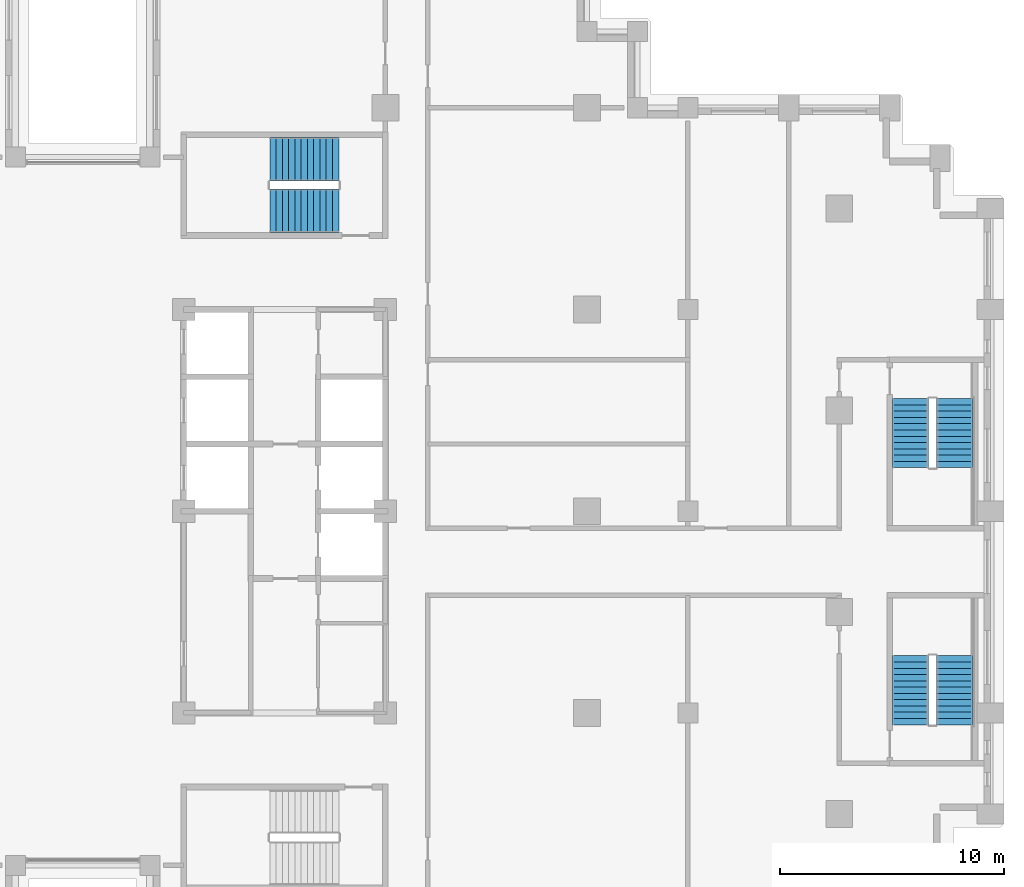
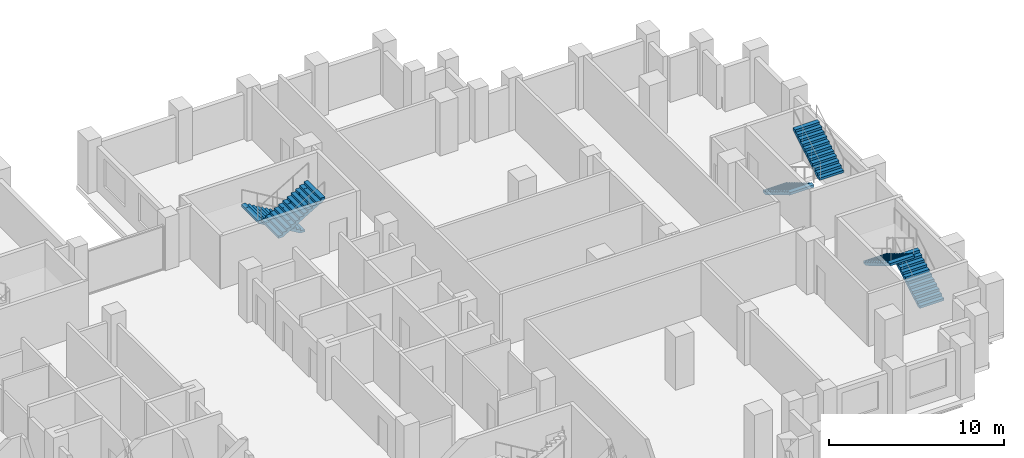
# One storey, part 13 of 15: 6 stair flights, 3 elements without a shape of their own.
"""IFC4 building model written with IfcOpenShell, lengths in metres."""

import ifcopenshell
import ifcopenshell.guid

model = None  # the IFC model being written
_history = None  # IfcOwnerHistory: only IFC2X3 demands one
_inside = {}  # id of a spatial element -> (the spatial element, [elements in it])
_under = {}  # id of a project, library or spatial element -> (it, [spatial elements below it])
_declared = {}  # id of a project -> (the project, [libraries it declares])
_typed = {}  # id of a type object -> (the type object, [elements of that type])
_made_of = {}  # id of a material, layer set ... -> (it, [elements and type objects made of it])


def new_model(schema):
    """Start an empty IFC model of exactly this schema.

    Asked for "IFC4X3", IfcOpenShell would pick the latest addendum, in which some entities
    have other attributes; the version numbers below select the first issue.
    IFC2X3 requires an IfcOwnerHistory on every rooted entity: one is made here for all.
    """
    global model, _history
    if schema == "IFC4X3":
        model = ifcopenshell.file(schema_version=(4, 3, 0, 0))
    else:
        model = ifcopenshell.file(schema=schema)
    _inside.clear()
    _under.clear()
    _declared.clear()
    _typed.clear()
    _made_of.clear()
    _history = None
    if model.schema == "IFC2X3":
        org = make("IfcOrganization", Name="unknown")
        user = make(
            "IfcPersonAndOrganization",
            ThePerson=make("IfcPerson", FamilyName="unknown"),
            TheOrganization=org,
        )
        app = make(
            "IfcApplication",
            ApplicationDeveloper=org,
            Version="unknown",
            ApplicationFullName="unknown",
            ApplicationIdentifier="unknown",
        )
        _history = make(
            "IfcOwnerHistory",
            OwningUser=user,
            OwningApplication=app,
            ChangeAction="ADDED",
            CreationDate=0,
        )
    return model


def make(cls, **values):
    """One entity of the class cls with the attributes given. An attribute that is None is left unset."""
    return model.create_entity(
        cls, **{name: value for name, value in values.items() if value is not None}
    )


def rooted(cls, **values):
    """An entity with a GlobalId (a new one), such as an element, a storey or a relation."""
    return make(cls, GlobalId=ifcopenshell.guid.new(), OwnerHistory=_history, **values)


def si_unit(unit_type, name, prefix=None):
    """IfcSIUnit, for example si_unit("LENGTHUNIT", "METRE", prefix="MILLI")."""
    return make("IfcSIUnit", UnitType=unit_type, Prefix=prefix, Name=name)


def assignment(units):
    """IfcUnitAssignment: the units of a project."""
    return None if units is None else make("IfcUnitAssignment", Units=units)


def point(xyz):
    """IfcCartesianPoint."""
    return None if xyz is None else make("IfcCartesianPoint", Coordinates=xyz)


def direction(xyz):
    """IfcDirection."""
    return None if xyz is None else make("IfcDirection", DirectionRatios=xyz)


def frame(location, z_axis=None, x_axis=None):
    """IfcAxis2Placement3D, a coordinate frame: its origin and axes. An axis left out is left unset."""
    return make(
        "IfcAxis2Placement3D",
        Location=point(location),
        Axis=direction(z_axis),
        RefDirection=direction(x_axis),
    )


def origin():
    """The frame at (0, 0, 0) with its axes left unset."""
    return frame((0.0, 0.0, 0.0))


def place(relative_to, where):
    """IfcLocalPlacement: puts the frame where relative to a parent placement (None: the world)."""
    return make(
        "IfcLocalPlacement", PlacementRelTo=relative_to, RelativePlacement=where
    )


def context(
    kind, dimensions, precision=None, world=None, true_north=None, identifier=None
):
    """IfcGeometricRepresentationContext, for example the 3D "Model" context."""
    return make(
        "IfcGeometricRepresentationContext",
        ContextIdentifier=identifier,
        ContextType=kind,
        CoordinateSpaceDimension=dimensions,
        Precision=precision,
        WorldCoordinateSystem=world,
        TrueNorth=true_north,
    )


def subcontext(parent, identifier, kind, view, scale=None):
    """IfcGeometricRepresentationSubContext, for example "Body" below "Model"."""
    return make(
        "IfcGeometricRepresentationSubContext",
        ContextIdentifier=identifier,
        ContextType=kind,
        ParentContext=parent,
        TargetScale=scale,
        TargetView=view,
    )


def project(units=None, contexts=None):
    """IfcProject with its units and contexts."""
    return rooted(
        "IfcProject",
        Name="project",
        RepresentationContexts=contexts,
        UnitsInContext=assignment(units),
    )


def spatial(cls, under=None, at=None, **own):
    """A site, building, storey or space (cls), placed at a placement, below another one or the project."""
    s = rooted(cls, ObjectPlacement=at, **own)
    if under is not None:
        _under.setdefault(under.id(), (under, []))[1].append(s)
    return s


def polyline(points):
    """IfcPolyline through the points."""
    return make("IfcPolyline", Points=[point(p) for p in points])


def outline(outer, holes=None, kind="AREA"):
    """IfcArbitraryClosedProfileDef: a profile drawn as a closed curve; with holes, ...WithVoids."""
    if holes is None:
        return make("IfcArbitraryClosedProfileDef", ProfileType=kind, OuterCurve=outer)
    return make(
        "IfcArbitraryProfileDefWithVoids",
        ProfileType=kind,
        OuterCurve=outer,
        InnerCurves=holes,
    )


def extrude(swept, where, along, depth):
    """IfcExtrudedAreaSolid: the profile swept, set in the frame where, extruded along a direction by depth."""
    return make(
        "IfcExtrudedAreaSolid",
        SweptArea=swept,
        Position=where,
        ExtrudedDirection=direction(along),
        Depth=depth,
    )


def shape(context_of_items, identifier, shape_type, items):
    """IfcShapeRepresentation: the items that make up one representation, for example the "Body"."""
    return make(
        "IfcShapeRepresentation",
        ContextOfItems=context_of_items,
        RepresentationIdentifier=identifier,
        RepresentationType=shape_type,
        Items=items,
    )


def material(Name=None, Category=None):
    """IfcMaterial."""
    return make("IfcMaterial", Name=Name, Category=Category)


def made_of(thing, what):
    """Note that an element or type object is made of a material, layer set ...; save() writes the relation."""
    if what is not None:
        _made_of.setdefault(what.id(), (what, []))[1].append(thing)
    return thing


def type_object(cls, material=None, **own):
    """A type object (cls), such as IfcWallType, which elements share."""
    return made_of(rooted(cls, **own), material)


def element(
    cls,
    number,
    at=None,
    inside=None,
    cuts=None,
    type_object=None,
    material=None,
    context=None,
    identifier="Body",
    shape_type=None,
    held_by="IfcProductDefinitionShape",
    body=None,
    shapes=None,
    **own,
):
    """One element of the class cls, such as IfcWall. Its Tag is "e" and its number.

    at: its placement. inside: the storey or other place that contains it. cuts: it is an
    opening in that element (IfcRelVoidsElement). A single representation is given by context,
    identifier, shape_type and body (its items); several are given by shapes. held_by: the class
    of the entity that holds the representations. save() writes the other relations.
    """
    e = rooted(cls, Tag="e%d" % number, ObjectPlacement=at, **own)
    if body is not None:
        shapes = [shape(context, identifier, shape_type, body)]
    if shapes is not None:
        e.Representation = make(held_by, Representations=shapes)
    if inside is not None:
        _inside.setdefault(inside.id(), (inside, []))[1].append(e)
    if cuts is not None:
        rooted(
            "IfcRelVoidsElement", RelatingBuildingElement=cuts, RelatedOpeningElement=e
        )
    if type_object is not None:
        _typed.setdefault(type_object.id(), (type_object, []))[1].append(e)
    return made_of(e, material)


def aggregate(whole, parts):
    """IfcRelAggregates: a whole, such as a stair, and the parts it consists of."""
    return rooted("IfcRelAggregates", RelatingObject=whole, RelatedObjects=parts)


def save(model, path):
    """Write the relations noted so far, then the file.

    IfcRelAggregates (storeys below a building ...), IfcRelContainedInSpatialStructure (elements
    in a storey), IfcRelDefinesByType, IfcRelAssociatesMaterial and IfcRelDeclares: one each for
    every whole, place, type object, material and project.
    """
    for whole, parts in _under.values():
        aggregate(whole, parts)
    for where, things in _inside.values():
        rooted(
            "IfcRelContainedInSpatialStructure",
            RelatedElements=things,
            RelatingStructure=where,
        )
    for kind, things in _typed.values():
        rooted("IfcRelDefinesByType", RelatedObjects=things, RelatingType=kind)
    for what, things in _made_of.values():
        rooted("IfcRelAssociatesMaterial", RelatedObjects=things, RelatingMaterial=what)
    for by, libraries in _declared.values():
        rooted("IfcRelDeclares", RelatingContext=by, RelatedDefinitions=libraries)
    model.write(path)


model = new_model("IFC4")

# Units and contexts
model_context = context("Model", 3, precision=1e-05, world=origin(), true_north=direction((0.0, 1.0)))
body_context = subcontext(model_context, "Body", "Model", "MODEL_VIEW")
ifc_project = project(units=[si_unit("LENGTHUNIT", "METRE"), si_unit("AREAUNIT", "SQUARE_METRE"), si_unit("VOLUMEUNIT", "CUBIC_METRE"), si_unit("PLANEANGLEUNIT", "RADIAN"), si_unit("MASSUNIT", "GRAM", prefix="KILO")], contexts=[model_context])

# Site, building, storey
site_placement = place(None, origin())
site = spatial("IfcSite", under=ifc_project, at=site_placement, CompositionType="ELEMENT")
building_placement = place(site_placement, origin())
building = spatial("IfcBuilding", under=site, at=building_placement, Name="Corbelhall Arena Tower", CompositionType="ELEMENT")
storey_placement = place(building_placement, frame((0.0, 0.0, 88.0)))
storey = spatial("IfcBuildingStorey", under=building, at=storey_placement, Name="L14", CompositionType="ELEMENT", Elevation=88.0)

# Stair, stair flights
ifc_material = material(Name="Concrete C40/50", Category="concrete")
stair_type = type_object("IfcStairType", Name="IN-ST-TOWER", PredefinedType="HALF_TURN_STAIR", material=ifc_material)
stair_1_placement = place(storey_placement, origin())
stair_1 = element("IfcStair", 1, at=stair_1_placement, inside=storey, type_object=stair_type, Name="L14 Exit stair ST3", PredefinedType="HALF_TURN_STAIR")
stair_flight_type = type_object("IfcStairFlightType", Name="IN-SFL-RC", PredefinedType="STRAIGHT", material=ifc_material)
stair_flight_1_placement = place(storey_placement, frame((11.425048828125, 15.699951171875, 0.0), z_axis=(0.0, 0.0, 1.0), x_axis=(-1.0, 0.0, 0.0)))
stair_flight_1 = element("IfcStairFlight", 2, at=stair_flight_1_placement, type_object=stair_flight_type, Name="ST3 flight 1", NumberOfRisers=12, NumberOfTreads=11, PredefinedType="STRAIGHT", RiserHeight=0.166666667, TreadLength=0.28, context=body_context, shape_type="SweptSolid", body=[
    extrude(outline(polyline([(0.0, 0.0), (0.0, 0.166748046875), (0.280029296875, 0.166748046875), (0.280029296875, 0.333251953125), (0.56005859375, 0.333251953125), (0.56005859375, 0.5), (0.840087890625, 0.5), (0.840087890625, 0.666748046875), (1.1201171875, 0.666748046875), (1.1201171875, 0.833251953125), (1.39990234375, 0.833251953125), (1.39990234375, 1.0), (1.679931640625, 1.0), (1.679931640625, 1.166748046875), (1.9599609375, 1.166748046875), (1.9599609375, 1.333251953125), (2.239990234375, 1.333251953125), (2.239990234375, 1.5), (2.52001953125, 1.5), (2.52001953125, 1.666748046875), (2.800048828125, 1.666748046875), (2.800048828125, 1.833251953125), (3.080078125, 1.833251953125), (3.080078125, 2.0), (3.080078125, 1.658935546875), (0.29296875, 0.0), (0.0, 0.0)])), frame((0.0, 0.97509765625, 0.0), z_axis=(0.0, -1.0, 0.0), x_axis=(1.0, 0.0, 0.0)), (0.0, 0.0, 1.0), 0.449951171875),
    extrude(outline(polyline([(0.0, 0.0), (0.0, 0.166748046875), (0.280029296875, 0.166748046875), (0.280029296875, 0.333251953125), (0.56005859375, 0.333251953125), (0.56005859375, 0.5), (0.840087890625, 0.5), (0.840087890625, 0.666748046875), (1.1201171875, 0.666748046875), (1.1201171875, 0.833251953125), (1.39990234375, 0.833251953125), (1.39990234375, 1.0), (1.679931640625, 1.0), (1.679931640625, 1.166748046875), (1.9599609375, 1.166748046875), (1.9599609375, 1.333251953125), (2.239990234375, 1.333251953125), (2.239990234375, 1.5), (2.52001953125, 1.5), (2.52001953125, 1.666748046875), (2.800048828125, 1.666748046875), (2.800048828125, 1.833251953125), (3.080078125, 1.833251953125), (3.080078125, 2.0), (3.080078125, 1.658935546875), (0.29296875, 0.0), (0.0, 0.0)])), frame((0.0, 0.52099609375, 0.0), z_axis=(0.0, -1.0, 0.0), x_axis=(1.0, 0.0, 0.0)), (0.0, 0.0, 1.0), 1.0419921875),
    extrude(outline(polyline([(0.0, 0.0), (0.0, 0.166748046875), (0.280029296875, 0.166748046875), (0.280029296875, 0.333251953125), (0.56005859375, 0.333251953125), (0.56005859375, 0.5), (0.840087890625, 0.5), (0.840087890625, 0.666748046875), (1.1201171875, 0.666748046875), (1.1201171875, 0.833251953125), (1.39990234375, 0.833251953125), (1.39990234375, 1.0), (1.679931640625, 1.0), (1.679931640625, 1.166748046875), (1.9599609375, 1.166748046875), (1.9599609375, 1.333251953125), (2.239990234375, 1.333251953125), (2.239990234375, 1.5), (2.52001953125, 1.5), (2.52001953125, 1.666748046875), (2.800048828125, 1.666748046875), (2.800048828125, 1.833251953125), (3.080078125, 1.833251953125), (3.080078125, 2.0), (3.080078125, 1.658935546875), (0.29296875, 0.0), (0.0, 0.0)])), frame((0.0, -0.52490234375, 0.0), z_axis=(0.0, -1.0, 0.0), x_axis=(1.0, 0.0, 0.0)), (0.0, 0.0, 1.0), 0.449951171875),
])
stair_flight_2_placement = place(storey_placement, frame((8.344970703125, 13.39990234375, 2.0), z_axis=(0.0, 0.0, 1.0), x_axis=(1.0, 0.0, 0.0)))
stair_flight_2 = element("IfcStairFlight", 3, at=stair_flight_2_placement, type_object=stair_flight_type, Name="ST3 flight 2", NumberOfRisers=12, NumberOfTreads=11, PredefinedType="STRAIGHT", RiserHeight=0.166666667, TreadLength=0.28, context=body_context, shape_type="SweptSolid", body=[
    extrude(outline(polyline([(0.0, 0.0), (0.0, 0.166748046875), (0.280029296875, 0.166748046875), (0.280029296875, 0.333251953125), (0.56005859375, 0.333251953125), (0.56005859375, 0.5), (0.840087890625, 0.5), (0.840087890625, 0.666748046875), (1.1201171875, 0.666748046875), (1.1201171875, 0.833251953125), (1.39990234375, 0.833251953125), (1.39990234375, 1.0), (1.679931640625, 1.0), (1.679931640625, 1.166748046875), (1.9599609375, 1.166748046875), (1.9599609375, 1.333251953125), (2.239990234375, 1.333251953125), (2.239990234375, 1.5), (2.52001953125, 1.5), (2.52001953125, 1.666748046875), (2.800048828125, 1.666748046875), (2.800048828125, 1.833251953125), (3.080078125, 1.833251953125), (3.080078125, 2.0), (3.080078125, 1.658935546875), (0.29296875, 0.0), (0.0, 0.0)])), frame((0.0, 0.97509765625, 0.0), z_axis=(0.0, -1.0, 0.0), x_axis=(1.0, 0.0, 0.0)), (0.0, 0.0, 1.0), 0.449951171875),
    extrude(outline(polyline([(0.0, 0.0), (0.0, 0.166748046875), (0.280029296875, 0.166748046875), (0.280029296875, 0.333251953125), (0.56005859375, 0.333251953125), (0.56005859375, 0.5), (0.840087890625, 0.5), (0.840087890625, 0.666748046875), (1.1201171875, 0.666748046875), (1.1201171875, 0.833251953125), (1.39990234375, 0.833251953125), (1.39990234375, 1.0), (1.679931640625, 1.0), (1.679931640625, 1.166748046875), (1.9599609375, 1.166748046875), (1.9599609375, 1.333251953125), (2.239990234375, 1.333251953125), (2.239990234375, 1.5), (2.52001953125, 1.5), (2.52001953125, 1.666748046875), (2.800048828125, 1.666748046875), (2.800048828125, 1.833251953125), (3.080078125, 1.833251953125), (3.080078125, 2.0), (3.080078125, 1.658935546875), (0.29296875, 0.0), (0.0, 0.0)])), frame((0.0, 0.52099609375, 0.0), z_axis=(0.0, -1.0, 0.0), x_axis=(1.0, 0.0, 0.0)), (0.0, 0.0, 1.0), 1.0419921875),
    extrude(outline(polyline([(0.0, 0.0), (0.0, 0.166748046875), (0.280029296875, 0.166748046875), (0.280029296875, 0.333251953125), (0.56005859375, 0.333251953125), (0.56005859375, 0.5), (0.840087890625, 0.5), (0.840087890625, 0.666748046875), (1.1201171875, 0.666748046875), (1.1201171875, 0.833251953125), (1.39990234375, 0.833251953125), (1.39990234375, 1.0), (1.679931640625, 1.0), (1.679931640625, 1.166748046875), (1.9599609375, 1.166748046875), (1.9599609375, 1.333251953125), (2.239990234375, 1.333251953125), (2.239990234375, 1.5), (2.52001953125, 1.5), (2.52001953125, 1.666748046875), (2.800048828125, 1.666748046875), (2.800048828125, 1.833251953125), (3.080078125, 1.833251953125), (3.080078125, 2.0), (3.080078125, 1.658935546875), (0.29296875, 0.0), (0.0, 0.0)])), frame((0.0, -0.52490234375, 0.0), z_axis=(0.0, -1.0, 0.0), x_axis=(1.0, 0.0, 0.0)), (0.0, 0.0, 1.0), 0.449951171875),
])
aggregate(stair_1, [stair_flight_1, stair_flight_2])

stair_2_placement = place(storey_placement, origin())
stair_2 = element("IfcStair", 4, at=stair_2_placement, inside=storey, type_object=stair_type, Name="L14 Exit stair SD1", PredefinedType="HALF_TURN_STAIR")
stair_flight_3_placement = place(storey_placement, frame((38.89990234375, -9.52490234375, 0.0), z_axis=(0.0, 0.0, 1.0), x_axis=(0.0, 1.0, 0.0)))
stair_flight_3 = element("IfcStairFlight", 5, at=stair_flight_3_placement, type_object=stair_flight_type, Name="SD1 flight 1", NumberOfRisers=12, NumberOfTreads=11, PredefinedType="STRAIGHT", RiserHeight=0.166666667, TreadLength=0.28, context=body_context, shape_type="SweptSolid", body=[
    extrude(outline(polyline([(0.0, 0.0), (0.0, 0.166748046875), (0.280029296875, 0.166748046875), (0.280029296875, 0.333251953125), (0.56005859375, 0.333251953125), (0.56005859375, 0.5), (0.840087890625, 0.5), (0.840087890625, 0.666748046875), (1.1201171875, 0.666748046875), (1.1201171875, 0.833251953125), (1.39990234375, 0.833251953125), (1.39990234375, 1.0), (1.679931640625, 1.0), (1.679931640625, 1.166748046875), (1.9599609375, 1.166748046875), (1.9599609375, 1.333251953125), (2.239990234375, 1.333251953125), (2.239990234375, 1.5), (2.52001953125, 1.5), (2.52001953125, 1.666748046875), (2.800048828125, 1.666748046875), (2.800048828125, 1.833251953125), (3.080078125, 1.833251953125), (3.080078125, 2.0), (3.080078125, 1.658935546875), (0.29296875, 0.0), (0.0, 0.0)])), frame((0.0, 0.800048828125, 0.0), z_axis=(0.0, -1.0, 0.0), x_axis=(1.0, 0.0, 0.0)), (0.0, 0.0, 1.0), 1.60009765625),
])
stair_flight_4_placement = place(storey_placement, frame((36.925048828125, -6.445068359375, 2.0), z_axis=(0.0, 0.0, 1.0), x_axis=(0.0, -1.0, 0.0)))
stair_flight_4 = element("IfcStairFlight", 6, at=stair_flight_4_placement, type_object=stair_flight_type, Name="SD1 flight 2", NumberOfRisers=12, NumberOfTreads=11, PredefinedType="STRAIGHT", RiserHeight=0.166666667, TreadLength=0.28, context=body_context, shape_type="SweptSolid", body=[
    extrude(outline(polyline([(0.0, 0.0), (0.0, 0.166748046875), (0.280029296875, 0.166748046875), (0.280029296875, 0.333251953125), (0.56005859375, 0.333251953125), (0.56005859375, 0.5), (0.840087890625, 0.5), (0.840087890625, 0.666748046875), (1.1201171875, 0.666748046875), (1.1201171875, 0.833251953125), (1.39990234375, 0.833251953125), (1.39990234375, 1.0), (1.679931640625, 1.0), (1.679931640625, 1.166748046875), (1.9599609375, 1.166748046875), (1.9599609375, 1.333251953125), (2.239990234375, 1.333251953125), (2.239990234375, 1.5), (2.52001953125, 1.5), (2.52001953125, 1.666748046875), (2.800048828125, 1.666748046875), (2.800048828125, 1.833251953125), (3.080078125, 1.833251953125), (3.080078125, 2.0), (3.080078125, 1.658935546875), (0.29296875, 0.0), (0.0, 0.0)])), frame((0.0, 0.800048828125, 0.0), z_axis=(0.0, -1.0, 0.0), x_axis=(1.0, 0.0, 0.0)), (0.0, 0.0, 1.0), 1.60009765625),
])
aggregate(stair_2, [stair_flight_3, stair_flight_4])

stair_3_placement = place(storey_placement, origin())
stair_3 = element("IfcStair", 7, at=stair_3_placement, inside=storey, type_object=stair_type, Name="L14 Exit stair SD2", PredefinedType="HALF_TURN_STAIR")
stair_flight_5_placement = place(storey_placement, frame((36.925048828125, 5.02490234375, 0.0), z_axis=(0.0, 0.0, 1.0), x_axis=(0.0, -1.0, 0.0)))
stair_flight_5 = element("IfcStairFlight", 8, at=stair_flight_5_placement, type_object=stair_flight_type, Name="SD2 flight 1", NumberOfRisers=12, NumberOfTreads=11, PredefinedType="STRAIGHT", RiserHeight=0.166666667, TreadLength=0.28, context=body_context, shape_type="SweptSolid", body=[
    extrude(outline(polyline([(0.0, 0.0), (0.0, 0.166748046875), (0.280029296875, 0.166748046875), (0.280029296875, 0.333251953125), (0.56005859375, 0.333251953125), (0.56005859375, 0.5), (0.840087890625, 0.5), (0.840087890625, 0.666748046875), (1.1201171875, 0.666748046875), (1.1201171875, 0.833251953125), (1.39990234375, 0.833251953125), (1.39990234375, 1.0), (1.679931640625, 1.0), (1.679931640625, 1.166748046875), (1.9599609375, 1.166748046875), (1.9599609375, 1.333251953125), (2.239990234375, 1.333251953125), (2.239990234375, 1.5), (2.52001953125, 1.5), (2.52001953125, 1.666748046875), (2.800048828125, 1.666748046875), (2.800048828125, 1.833251953125), (3.080078125, 1.833251953125), (3.080078125, 2.0), (3.080078125, 1.658935546875), (0.29296875, 0.0), (0.0, 0.0)])), frame((0.0, 0.800048828125, 0.0), z_axis=(0.0, -1.0, 0.0), x_axis=(1.0, 0.0, 0.0)), (0.0, 0.0, 1.0), 1.60009765625),
])
stair_flight_6_placement = place(storey_placement, frame((38.89990234375, 1.945068359375, 2.0), z_axis=(0.0, 0.0, 1.0), x_axis=(0.0, 1.0, 0.0)))
stair_flight_6 = element("IfcStairFlight", 9, at=stair_flight_6_placement, type_object=stair_flight_type, Name="SD2 flight 2", NumberOfRisers=12, NumberOfTreads=11, PredefinedType="STRAIGHT", RiserHeight=0.166666667, TreadLength=0.28, context=body_context, shape_type="SweptSolid", body=[
    extrude(outline(polyline([(0.0, 0.0), (0.0, 0.166748046875), (0.280029296875, 0.166748046875), (0.280029296875, 0.333251953125), (0.56005859375, 0.333251953125), (0.56005859375, 0.5), (0.840087890625, 0.5), (0.840087890625, 0.666748046875), (1.1201171875, 0.666748046875), (1.1201171875, 0.833251953125), (1.39990234375, 0.833251953125), (1.39990234375, 1.0), (1.679931640625, 1.0), (1.679931640625, 1.166748046875), (1.9599609375, 1.166748046875), (1.9599609375, 1.333251953125), (2.239990234375, 1.333251953125), (2.239990234375, 1.5), (2.52001953125, 1.5), (2.52001953125, 1.666748046875), (2.800048828125, 1.666748046875), (2.800048828125, 1.833251953125), (3.080078125, 1.833251953125), (3.080078125, 2.0), (3.080078125, 1.658935546875), (0.29296875, 0.0), (0.0, 0.0)])), frame((0.0, 0.800048828125, 0.0), z_axis=(0.0, -1.0, 0.0), x_axis=(1.0, 0.0, 0.0)), (0.0, 0.0, 1.0), 1.60009765625),
])
aggregate(stair_3, [stair_flight_5, stair_flight_6])

save(model, "model.ifc")
